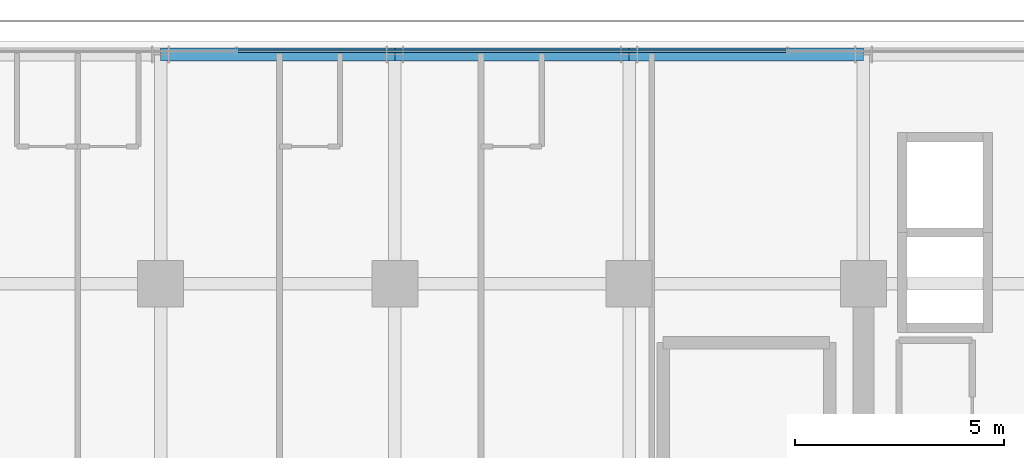
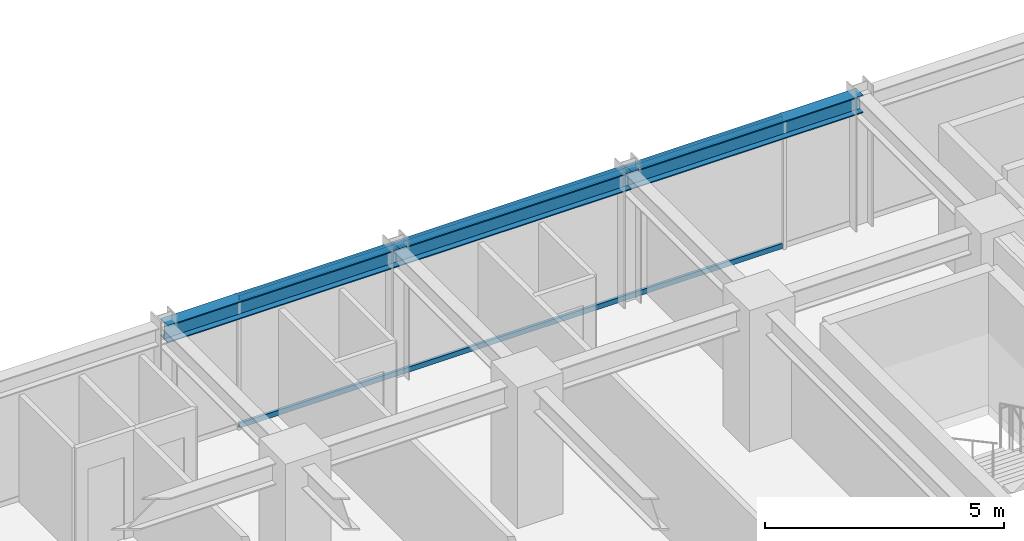
# One storey, part 18 of 33: 3 beams, 2 members, 1 element without a shape of its own.
"""IFC4 building model written with IfcOpenShell, lengths in metres."""

import ifcopenshell
import ifcopenshell.guid

model = None  # the IFC model being written
_history = None  # IfcOwnerHistory: only IFC2X3 demands one
_inside = {}  # id of a spatial element -> (the spatial element, [elements in it])
_under = {}  # id of a project, library or spatial element -> (it, [spatial elements below it])
_declared = {}  # id of a project -> (the project, [libraries it declares])
_typed = {}  # id of a type object -> (the type object, [elements of that type])
_made_of = {}  # id of a material, layer set ... -> (it, [elements and type objects made of it])


def new_model(schema):
    """Start an empty IFC model of exactly this schema.

    Asked for "IFC4X3", IfcOpenShell would pick the latest addendum, in which some entities
    have other attributes; the version numbers below select the first issue.
    IFC2X3 requires an IfcOwnerHistory on every rooted entity: one is made here for all.
    """
    global model, _history
    if schema == "IFC4X3":
        model = ifcopenshell.file(schema_version=(4, 3, 0, 0))
    else:
        model = ifcopenshell.file(schema=schema)
    _inside.clear()
    _under.clear()
    _declared.clear()
    _typed.clear()
    _made_of.clear()
    _history = None
    if model.schema == "IFC2X3":
        org = make("IfcOrganization", Name="unknown")
        user = make(
            "IfcPersonAndOrganization",
            ThePerson=make("IfcPerson", FamilyName="unknown"),
            TheOrganization=org,
        )
        app = make(
            "IfcApplication",
            ApplicationDeveloper=org,
            Version="unknown",
            ApplicationFullName="unknown",
            ApplicationIdentifier="unknown",
        )
        _history = make(
            "IfcOwnerHistory",
            OwningUser=user,
            OwningApplication=app,
            ChangeAction="ADDED",
            CreationDate=0,
        )
    return model


def make(cls, **values):
    """One entity of the class cls with the attributes given. An attribute that is None is left unset."""
    return model.create_entity(
        cls, **{name: value for name, value in values.items() if value is not None}
    )


def rooted(cls, **values):
    """An entity with a GlobalId (a new one), such as an element, a storey or a relation."""
    return make(cls, GlobalId=ifcopenshell.guid.new(), OwnerHistory=_history, **values)


def si_unit(unit_type, name, prefix=None):
    """IfcSIUnit, for example si_unit("LENGTHUNIT", "METRE", prefix="MILLI")."""
    return make("IfcSIUnit", UnitType=unit_type, Prefix=prefix, Name=name)


def assignment(units):
    """IfcUnitAssignment: the units of a project."""
    return None if units is None else make("IfcUnitAssignment", Units=units)


def point(xyz):
    """IfcCartesianPoint."""
    return None if xyz is None else make("IfcCartesianPoint", Coordinates=xyz)


def direction(xyz):
    """IfcDirection."""
    return None if xyz is None else make("IfcDirection", DirectionRatios=xyz)


def frame(location, z_axis=None, x_axis=None):
    """IfcAxis2Placement3D, a coordinate frame: its origin and axes. An axis left out is left unset."""
    return make(
        "IfcAxis2Placement3D",
        Location=point(location),
        Axis=direction(z_axis),
        RefDirection=direction(x_axis),
    )


def frame_2d(location, x_axis=None):
    """IfcAxis2Placement2D, a coordinate frame in the plane: its origin and x axis."""
    return make(
        "IfcAxis2Placement2D", Location=point(location), RefDirection=direction(x_axis)
    )


def origin():
    """The frame at (0, 0, 0) with its axes left unset."""
    return frame((0.0, 0.0, 0.0))


def origin_2d():
    """The frame at (0, 0) in the plane with its x axis left unset."""
    return frame_2d((0.0, 0.0))


def place(relative_to, where):
    """IfcLocalPlacement: puts the frame where relative to a parent placement (None: the world)."""
    return make(
        "IfcLocalPlacement", PlacementRelTo=relative_to, RelativePlacement=where
    )


def context(
    kind, dimensions, precision=None, world=None, true_north=None, identifier=None
):
    """IfcGeometricRepresentationContext, for example the 3D "Model" context."""
    return make(
        "IfcGeometricRepresentationContext",
        ContextIdentifier=identifier,
        ContextType=kind,
        CoordinateSpaceDimension=dimensions,
        Precision=precision,
        WorldCoordinateSystem=world,
        TrueNorth=true_north,
    )


def subcontext(parent, identifier, kind, view, scale=None):
    """IfcGeometricRepresentationSubContext, for example "Body" below "Model"."""
    return make(
        "IfcGeometricRepresentationSubContext",
        ContextIdentifier=identifier,
        ContextType=kind,
        ParentContext=parent,
        TargetScale=scale,
        TargetView=view,
    )


def project(units=None, contexts=None):
    """IfcProject with its units and contexts."""
    return rooted(
        "IfcProject",
        Name="project",
        RepresentationContexts=contexts,
        UnitsInContext=assignment(units),
    )


def spatial(cls, under=None, at=None, **own):
    """A site, building, storey or space (cls), placed at a placement, below another one or the project."""
    s = rooted(cls, ObjectPlacement=at, **own)
    if under is not None:
        _under.setdefault(under.id(), (under, []))[1].append(s)
    return s


def profile(cls, at=None, kind="AREA", **sizes):
    """A parametric profile (cls). Its sizes go by their IFC names, for example OverallWidth=200.0."""
    return make(cls, ProfileType=kind, Position=at, **sizes)


def hollow_rectangle(**sizes):
    """IfcRectangleHollowProfileDef."""
    return profile("IfcRectangleHollowProfileDef", **sizes)


def i_section(**sizes):
    """IfcIShapeProfileDef."""
    return profile("IfcIShapeProfileDef", **sizes)


def extrude(swept, where, along, depth):
    """IfcExtrudedAreaSolid: the profile swept, set in the frame where, extruded along a direction by depth."""
    return make(
        "IfcExtrudedAreaSolid",
        SweptArea=swept,
        Position=where,
        ExtrudedDirection=direction(along),
        Depth=depth,
    )


def shape(context_of_items, identifier, shape_type, items):
    """IfcShapeRepresentation: the items that make up one representation, for example the "Body"."""
    return make(
        "IfcShapeRepresentation",
        ContextOfItems=context_of_items,
        RepresentationIdentifier=identifier,
        RepresentationType=shape_type,
        Items=items,
    )


def source(mapping_origin, context_of_items, identifier, shape_type, items):
    """IfcRepresentationMap: a shape defined once, which mapped items show again and again."""
    return make(
        "IfcRepresentationMap",
        MappingOrigin=mapping_origin,
        MappedRepresentation=shape(context_of_items, identifier, shape_type, items),
    )


def transform(
    local_origin,
    x_axis=None,
    y_axis=None,
    z_axis=None,
    scale=None,
    scale2=None,
    scale3=None,
    uniform=True,
):
    """IfcCartesianTransformationOperator3D, or its non-uniform kind. x_axis, y_axis, z_axis: its Axis1, 2, 3."""
    if uniform:
        return make(
            "IfcCartesianTransformationOperator3D",
            Axis1=direction(x_axis),
            Axis2=direction(y_axis),
            LocalOrigin=point(local_origin),
            Scale=scale,
            Axis3=direction(z_axis),
        )
    return make(
        "IfcCartesianTransformationOperator3DnonUniform",
        Axis1=direction(x_axis),
        Axis2=direction(y_axis),
        LocalOrigin=point(local_origin),
        Scale=scale,
        Axis3=direction(z_axis),
        Scale2=scale2,
        Scale3=scale3,
    )


def mapped(mapping_source, mapping_target):
    """IfcMappedItem: shows the shape of a source again, moved by a transform."""
    return make(
        "IfcMappedItem", MappingSource=mapping_source, MappingTarget=mapping_target
    )


def material(Name=None, Category=None):
    """IfcMaterial."""
    return make("IfcMaterial", Name=Name, Category=Category)


def material_profile(
    of_material, cross_section, Name=None, Category=None, Priority=None
):
    """IfcMaterialProfile: a cross section and its material."""
    return make(
        "IfcMaterialProfile",
        Name=Name,
        Material=of_material,
        Profile=cross_section,
        Priority=Priority,
        Category=Category,
    )


def profile_set(profiles, Name=None, composite=None):
    """IfcMaterialProfileSet."""
    return make(
        "IfcMaterialProfileSet",
        Name=Name,
        MaterialProfiles=profiles,
        CompositeProfile=composite,
    )


def made_of(thing, what):
    """Note that an element or type object is made of a material, layer set ...; save() writes the relation."""
    if what is not None:
        _made_of.setdefault(what.id(), (what, []))[1].append(thing)
    return thing


def type_object(cls, material=None, **own):
    """A type object (cls), such as IfcWallType, which elements share."""
    return made_of(rooted(cls, **own), material)


def element(
    cls,
    number,
    at=None,
    inside=None,
    cuts=None,
    type_object=None,
    material=None,
    context=None,
    identifier="Body",
    shape_type=None,
    held_by="IfcProductDefinitionShape",
    body=None,
    shapes=None,
    **own,
):
    """One element of the class cls, such as IfcWall. Its Tag is "e" and its number.

    at: its placement. inside: the storey or other place that contains it. cuts: it is an
    opening in that element (IfcRelVoidsElement). A single representation is given by context,
    identifier, shape_type and body (its items); several are given by shapes. held_by: the class
    of the entity that holds the representations. save() writes the other relations.
    """
    e = rooted(cls, Tag="e%d" % number, ObjectPlacement=at, **own)
    if body is not None:
        shapes = [shape(context, identifier, shape_type, body)]
    if shapes is not None:
        e.Representation = make(held_by, Representations=shapes)
    if inside is not None:
        _inside.setdefault(inside.id(), (inside, []))[1].append(e)
    if cuts is not None:
        rooted(
            "IfcRelVoidsElement", RelatingBuildingElement=cuts, RelatedOpeningElement=e
        )
    if type_object is not None:
        _typed.setdefault(type_object.id(), (type_object, []))[1].append(e)
    return made_of(e, material)


def aggregate(whole, parts):
    """IfcRelAggregates: a whole, such as a stair, and the parts it consists of."""
    return rooted("IfcRelAggregates", RelatingObject=whole, RelatedObjects=parts)


def save(model, path):
    """Write the relations noted so far, then the file.

    IfcRelAggregates (storeys below a building ...), IfcRelContainedInSpatialStructure (elements
    in a storey), IfcRelDefinesByType, IfcRelAssociatesMaterial and IfcRelDeclares: one each for
    every whole, place, type object, material and project.
    """
    for whole, parts in _under.values():
        aggregate(whole, parts)
    for where, things in _inside.values():
        rooted(
            "IfcRelContainedInSpatialStructure",
            RelatedElements=things,
            RelatingStructure=where,
        )
    for kind, things in _typed.values():
        rooted("IfcRelDefinesByType", RelatedObjects=things, RelatingType=kind)
    for what, things in _made_of.values():
        rooted("IfcRelAssociatesMaterial", RelatedObjects=things, RelatingMaterial=what)
    for by, libraries in _declared.values():
        rooted("IfcRelDeclares", RelatingContext=by, RelatedDefinitions=libraries)
    model.write(path)


model = new_model("IFC4")

# Units and contexts
model_context = context("Model", 3, precision=1e-05, world=origin(), true_north=direction((0.0, 1.0)))
body_context = subcontext(model_context, "Body", "Model", "MODEL_VIEW")
ifc_project = project(units=[si_unit("LENGTHUNIT", "METRE"), si_unit("AREAUNIT", "SQUARE_METRE"), si_unit("VOLUMEUNIT", "CUBIC_METRE"), si_unit("PLANEANGLEUNIT", "RADIAN"), si_unit("MASSUNIT", "GRAM", prefix="KILO")], contexts=[model_context])

# Site, building, storey
site_placement = place(None, origin())
site = spatial("IfcSite", under=ifc_project, at=site_placement, CompositionType="ELEMENT")
building_placement = place(site_placement, origin())
building = spatial("IfcBuilding", under=site, at=building_placement, Name="Nahalor Promenade Grand Hotel", CompositionType="ELEMENT")
storey_placement = place(building_placement, frame((0.0, 0.0, 149.0)))
storey = spatial("IfcBuildingStorey", under=building, at=storey_placement, Name="L37", CompositionType="ELEMENT", Elevation=149.0)

# Beams
ifc_material_1 = material(Name="Steel S355JR", Category="steel")
ifc_material_profile_1 = material_profile(ifc_material_1, i_section(OverallWidth=0.3, OverallDepth=0.45, WebThickness=0.014, FlangeThickness=0.026, at=origin_2d()), Name="HEB 450")
ifc_profile_set_1 = profile_set([ifc_material_profile_1], Name="Steel S355JR")
beam_type = type_object("IfcBeamType", Name="Beam-Spandrel-HEB450", PredefinedType="SPANDREL", material=ifc_profile_set_1)
shared_shape_1 = source(origin(), body_context, "Body", "SweptSolid", [
    extrude(i_section(OverallWidth=0.3, OverallDepth=0.45, WebThickness=0.014, FlangeThickness=0.026, at=origin_2d()), origin(), (0.0, 0.0, 1.0), 5.599853515625),
])
for number, where, z_axis, x_axis, name in (
    (1, (-8.39990234375, 22.47998046875, 3.1650390625), (1.0, 0.0, 0.0), (0.0, 1.0, 0.0), "BM-L37-SP-N-1"),
    (2, (2.800048828125, 22.47998046875, 3.1650390625), (1.0, 0.0, 0.0), (0.0, 1.0, 0.0), "BM-L37-SP-N-3"),
):
    element("IfcBeam", number, at=place(storey_placement, frame(where, z_axis=z_axis, x_axis=x_axis)), inside=storey, type_object=beam_type, Name=name, PredefinedType="SPANDREL", context=body_context, shape_type="MappedRepresentation", body=[
        mapped(shared_shape_1, transform((0.0, 0.0, 0.0), scale=1.0)),
    ])
shared_shape_2 = source(origin(), body_context, "Body", "SweptSolid", [
    extrude(i_section(OverallWidth=0.3, OverallDepth=0.45, WebThickness=0.014, FlangeThickness=0.026, at=origin_2d()), origin(), (0.0, 0.0, 1.0), 5.60009765625),
])
beam_placement = place(storey_placement, frame((-2.800048828125, 22.47998046875, 3.1650390625), z_axis=(1.0, 0.0, 0.0), x_axis=(0.0, 1.0, 0.0)))
element("IfcBeam", 3, at=beam_placement, inside=storey, type_object=beam_type, Name="BM-L37-SP-N-2", PredefinedType="SPANDREL", context=body_context, shape_type="MappedRepresentation", body=[
    mapped(shared_shape_2, transform((0.0, 0.0, 0.0), scale=1.0)),
])

# Curtain wall, members
ifc_material_2 = material(Name="Anodised Bronze Aluminium EN AW-6063 T6", Category="aluminium")
curtain_wall_type = type_object("IfcCurtainWallType", Name="CW2 Typical Hotel Flush Bronze Unitised Curtain Wall", PredefinedType="USERDEFINED", material=ifc_material_2)
curtain_wall_placement = place(storey_placement, origin())
curtain_wall = element("IfcCurtainWall", 4, at=curtain_wall_placement, inside=storey, type_object=curtain_wall_type, Name="L37 Curtain Wall CW-L37-N-1", ObjectType="UNITISED_CURTAIN_WALL", PredefinedType="USERDEFINED")
ifc_material_profile_2 = material_profile(ifc_material_2, hollow_rectangle(XDim=0.065, YDim=0.13, WallThickness=0.004, at=origin_2d()), Name="CWT 65x130x4")
ifc_profile_set_2 = profile_set([ifc_material_profile_2], Name="Anodised Bronze Aluminium EN AW-6063 T6")
member_type = type_object("IfcMemberType", Name="CWT2 Typical Bronze Transom 65x130", PredefinedType="USERDEFINED", material=ifc_profile_set_2)
shared_shape_3 = source(origin(), body_context, "Body", "SweptSolid", [
    extrude(hollow_rectangle(XDim=0.065, YDim=0.13, WallThickness=0.004, at=origin_2d()), origin(), (0.0, 0.0, 1.0), 13.1083984375),
])
member_1_placement = place(storey_placement, frame((-6.55419921875, 22.56005859375, 0.06494140625), z_axis=(1.0, 0.0, 0.0), x_axis=(0.0, 1.0, 0.0)))
member_1 = element("IfcMember", 5, at=member_1_placement, type_object=member_type, Name="CW-L37-N-1 Transom 1-0", ObjectType="TRANSOM", PredefinedType="USERDEFINED", context=body_context, shape_type="MappedRepresentation", body=[
    mapped(shared_shape_3, transform((0.0, 0.0, 0.0), scale=1.0)),
])
member_2_placement = place(storey_placement, frame((-6.55419921875, 22.56005859375, 3.324951171875), z_axis=(1.0, 0.0, 0.0), x_axis=(0.0, 1.0, 0.0)))
member_2 = element("IfcMember", 6, at=member_2_placement, type_object=member_type, Name="CW-L37-N-1 Transom 1-1", ObjectType="TRANSOM", PredefinedType="USERDEFINED", context=body_context, shape_type="MappedRepresentation", body=[
    mapped(shared_shape_3, transform((0.0, 0.0, 0.0), scale=1.0)),
])
aggregate(curtain_wall, [member_1, member_2])

save(model, "model.ifc")
